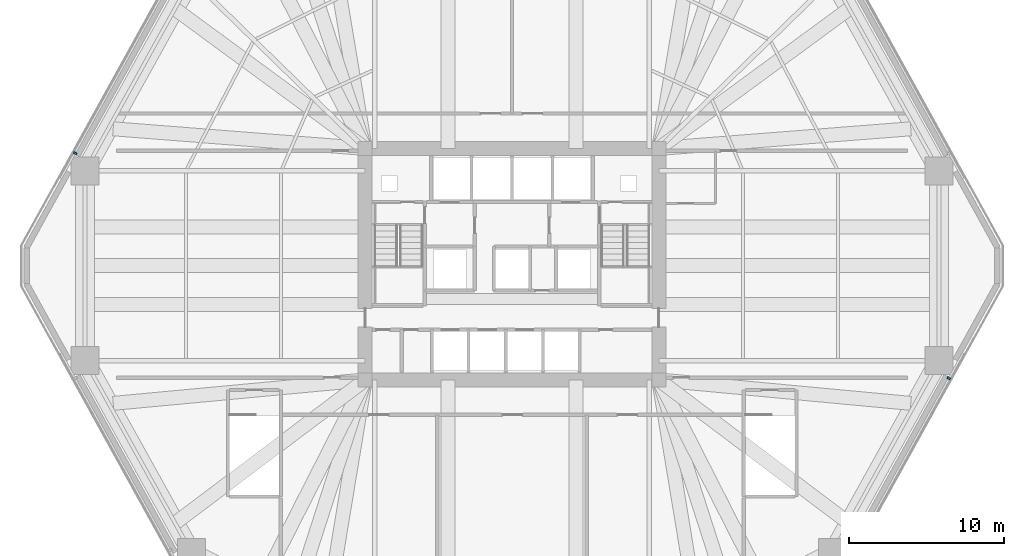
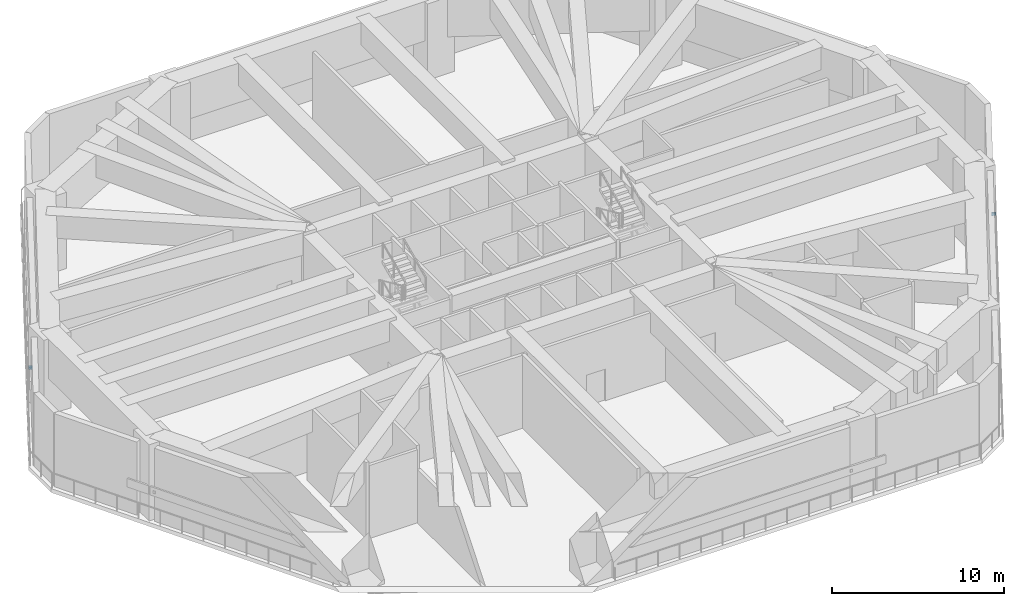
# One storey, part 6 of 12: 2 discrete accessories.
"""IFC4 building model written with IfcOpenShell, lengths in metres."""

from ifc_helpers import new_model, si_unit, direction, frame, origin, origin_2d, place, context, subcontext, project, spatial, rectangle, extrude, material, type_object, element, save


model = new_model("IFC4")

# Units and contexts
model_context = context("Model", 3, precision=1e-05, world=origin(), true_north=direction((0.0, 1.0)))
body_context = subcontext(model_context, "Body", "Model", "MODEL_VIEW")
ifc_project = project(units=[si_unit("LENGTHUNIT", "METRE"), si_unit("AREAUNIT", "SQUARE_METRE"), si_unit("VOLUMEUNIT", "CUBIC_METRE"), si_unit("PLANEANGLEUNIT", "RADIAN"), si_unit("MASSUNIT", "GRAM", prefix="KILO")], contexts=[model_context])

# Site, building, storey
site_placement = place(None, origin())
site = spatial("IfcSite", under=ifc_project, at=site_placement, CompositionType="ELEMENT")
building_placement = place(site_placement, origin())
building = spatial("IfcBuilding", under=site, at=building_placement, Name="Cinnabar Lancet Tower", CompositionType="ELEMENT")
storey_placement = place(building_placement, frame((0.0, 0.0, 19.5)))
storey = spatial("IfcBuildingStorey", under=building, at=storey_placement, Name="L04", CompositionType="ELEMENT", Elevation=19.5)

# Discrete accessories
ifc_material = material(Name="Stainless steel 316 facade fixing bracket", Category="steel")
discrete_accessory_type = type_object("IfcDiscreteAccessoryType", Name="ENV-ACC-BRK-180", PredefinedType="BRACKET", material=ifc_material)
for number, where, z_axis, x_axis, name in (
    (1, (60.52001953125, 18.56005859375, 2.06005859375), (0.0, 0.0, 1.0), (0.483694882518, 0.875236688345, 0.0), "L04 Face 2 Louvre Fixing Bracket B"),
    (2, (4.280029296875, 33.0400390625, 2.06005859375), (0.0, 0.0, 1.0), (-0.483694882518, -0.875236688345, 0.0), "L04 Face 5 Louvre Fixing Bracket B"),
):
    element("IfcDiscreteAccessory", number, at=place(storey_placement, frame(where, z_axis=z_axis, x_axis=x_axis)), inside=storey, type_object=discrete_accessory_type, Name=name, PredefinedType="BRACKET", context=body_context, shape_type="SweptSolid", body=[
        extrude(rectangle(XDim=0.139892578125, YDim=0.219970703125, at=origin_2d()), origin(), (0.0, 0.0, 1.0), 0.179931640625),
    ])

save(model, "model.ifc")
